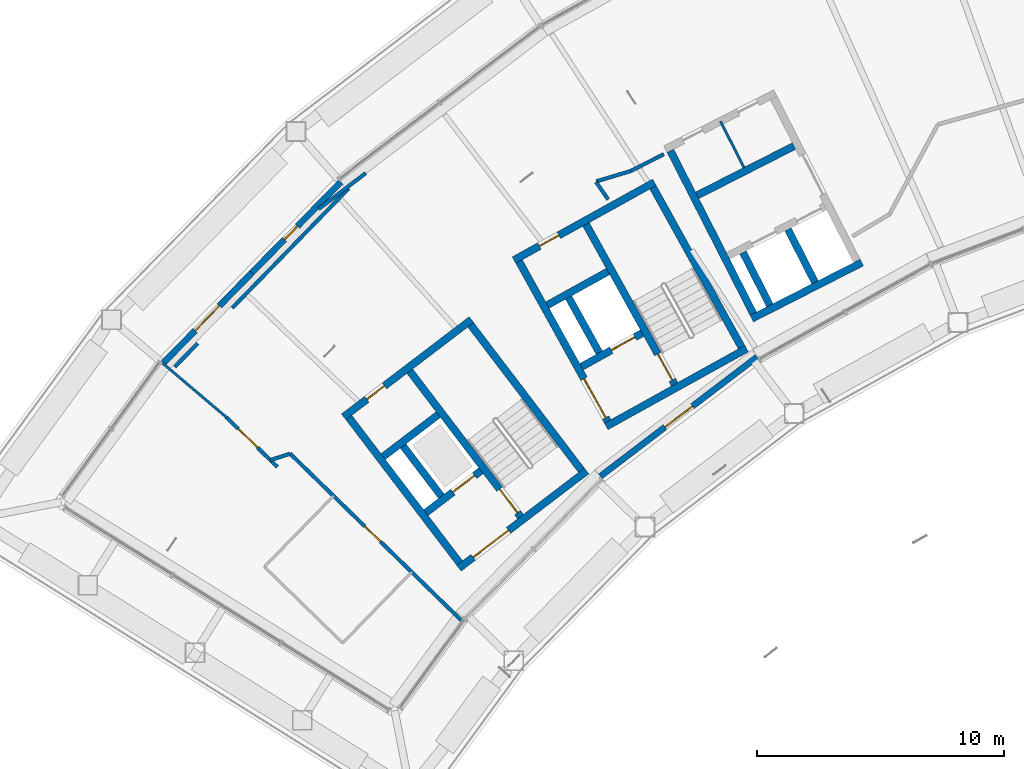
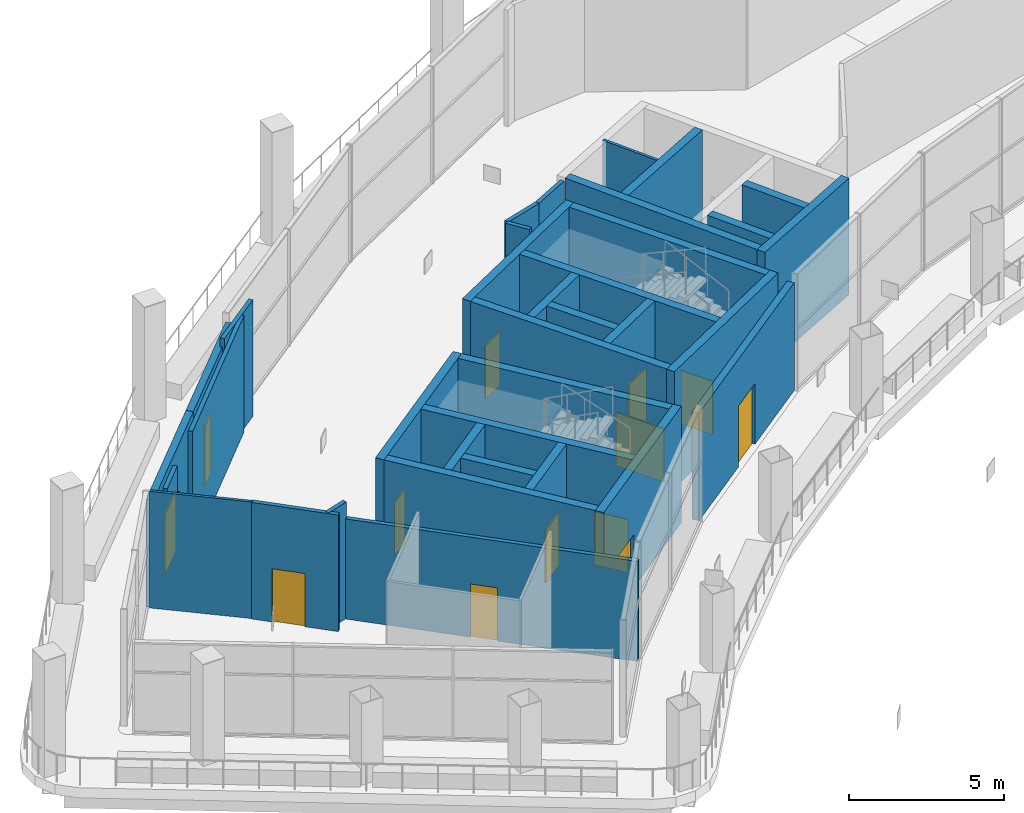
# One storey, part 16 of 29: 35 walls, 12 doors, 1 window, 13 openings.
"""IFC4 building model written with IfcOpenShell, lengths in metres."""

import ifcopenshell
import ifcopenshell.guid

model = None  # the IFC model being written
_history = None  # IfcOwnerHistory: only IFC2X3 demands one
_inside = {}  # id of a spatial element -> (the spatial element, [elements in it])
_under = {}  # id of a project, library or spatial element -> (it, [spatial elements below it])
_declared = {}  # id of a project -> (the project, [libraries it declares])
_typed = {}  # id of a type object -> (the type object, [elements of that type])
_made_of = {}  # id of a material, layer set ... -> (it, [elements and type objects made of it])


def new_model(schema):
    """Start an empty IFC model of exactly this schema.

    Asked for "IFC4X3", IfcOpenShell would pick the latest addendum, in which some entities
    have other attributes; the version numbers below select the first issue.
    IFC2X3 requires an IfcOwnerHistory on every rooted entity: one is made here for all.
    """
    global model, _history
    if schema == "IFC4X3":
        model = ifcopenshell.file(schema_version=(4, 3, 0, 0))
    else:
        model = ifcopenshell.file(schema=schema)
    _inside.clear()
    _under.clear()
    _declared.clear()
    _typed.clear()
    _made_of.clear()
    _history = None
    if model.schema == "IFC2X3":
        org = make("IfcOrganization", Name="unknown")
        user = make(
            "IfcPersonAndOrganization",
            ThePerson=make("IfcPerson", FamilyName="unknown"),
            TheOrganization=org,
        )
        app = make(
            "IfcApplication",
            ApplicationDeveloper=org,
            Version="unknown",
            ApplicationFullName="unknown",
            ApplicationIdentifier="unknown",
        )
        _history = make(
            "IfcOwnerHistory",
            OwningUser=user,
            OwningApplication=app,
            ChangeAction="ADDED",
            CreationDate=0,
        )
    return model


def make(cls, **values):
    """One entity of the class cls with the attributes given. An attribute that is None is left unset."""
    return model.create_entity(
        cls, **{name: value for name, value in values.items() if value is not None}
    )


def rooted(cls, **values):
    """An entity with a GlobalId (a new one), such as an element, a storey or a relation."""
    return make(cls, GlobalId=ifcopenshell.guid.new(), OwnerHistory=_history, **values)


def si_unit(unit_type, name, prefix=None):
    """IfcSIUnit, for example si_unit("LENGTHUNIT", "METRE", prefix="MILLI")."""
    return make("IfcSIUnit", UnitType=unit_type, Prefix=prefix, Name=name)


def assignment(units):
    """IfcUnitAssignment: the units of a project."""
    return None if units is None else make("IfcUnitAssignment", Units=units)


def point(xyz):
    """IfcCartesianPoint."""
    return None if xyz is None else make("IfcCartesianPoint", Coordinates=xyz)


def direction(xyz):
    """IfcDirection."""
    return None if xyz is None else make("IfcDirection", DirectionRatios=xyz)


def frame(location, z_axis=None, x_axis=None):
    """IfcAxis2Placement3D, a coordinate frame: its origin and axes. An axis left out is left unset."""
    return make(
        "IfcAxis2Placement3D",
        Location=point(location),
        Axis=direction(z_axis),
        RefDirection=direction(x_axis),
    )


def frame_2d(location, x_axis=None):
    """IfcAxis2Placement2D, a coordinate frame in the plane: its origin and x axis."""
    return make(
        "IfcAxis2Placement2D", Location=point(location), RefDirection=direction(x_axis)
    )


def origin():
    """The frame at (0, 0, 0) with its axes left unset."""
    return frame((0.0, 0.0, 0.0))


def place(relative_to, where):
    """IfcLocalPlacement: puts the frame where relative to a parent placement (None: the world)."""
    return make(
        "IfcLocalPlacement", PlacementRelTo=relative_to, RelativePlacement=where
    )


def context(
    kind, dimensions, precision=None, world=None, true_north=None, identifier=None
):
    """IfcGeometricRepresentationContext, for example the 3D "Model" context."""
    return make(
        "IfcGeometricRepresentationContext",
        ContextIdentifier=identifier,
        ContextType=kind,
        CoordinateSpaceDimension=dimensions,
        Precision=precision,
        WorldCoordinateSystem=world,
        TrueNorth=true_north,
    )


def subcontext(parent, identifier, kind, view, scale=None):
    """IfcGeometricRepresentationSubContext, for example "Body" below "Model"."""
    return make(
        "IfcGeometricRepresentationSubContext",
        ContextIdentifier=identifier,
        ContextType=kind,
        ParentContext=parent,
        TargetScale=scale,
        TargetView=view,
    )


def project(units=None, contexts=None):
    """IfcProject with its units and contexts."""
    return rooted(
        "IfcProject",
        Name="project",
        RepresentationContexts=contexts,
        UnitsInContext=assignment(units),
    )


def spatial(cls, under=None, at=None, **own):
    """A site, building, storey or space (cls), placed at a placement, below another one or the project."""
    s = rooted(cls, ObjectPlacement=at, **own)
    if under is not None:
        _under.setdefault(under.id(), (under, []))[1].append(s)
    return s


def profile(cls, at=None, kind="AREA", **sizes):
    """A parametric profile (cls). Its sizes go by their IFC names, for example OverallWidth=200.0."""
    return make(cls, ProfileType=kind, Position=at, **sizes)


def rectangle(**sizes):
    """IfcRectangleProfileDef."""
    return profile("IfcRectangleProfileDef", **sizes)


def extrude(swept, where, along, depth):
    """IfcExtrudedAreaSolid: the profile swept, set in the frame where, extruded along a direction by depth."""
    return make(
        "IfcExtrudedAreaSolid",
        SweptArea=swept,
        Position=where,
        ExtrudedDirection=direction(along),
        Depth=depth,
    )


def shape(context_of_items, identifier, shape_type, items):
    """IfcShapeRepresentation: the items that make up one representation, for example the "Body"."""
    return make(
        "IfcShapeRepresentation",
        ContextOfItems=context_of_items,
        RepresentationIdentifier=identifier,
        RepresentationType=shape_type,
        Items=items,
    )


def material(Name=None, Category=None):
    """IfcMaterial."""
    return make("IfcMaterial", Name=Name, Category=Category)


def layer(
    of_material, thickness, ventilated=None, Name=None, Category=None, Priority=None
):
    """IfcMaterialLayer: one layer of a wall or slab, of a material (None: an air gap)."""
    return make(
        "IfcMaterialLayer",
        Material=of_material,
        LayerThickness=thickness,
        IsVentilated=ventilated,
        Name=Name,
        Category=Category,
        Priority=Priority,
    )


def layer_set(layers, Name=None):
    """IfcMaterialLayerSet."""
    return make("IfcMaterialLayerSet", MaterialLayers=layers, LayerSetName=Name)


def made_of(thing, what):
    """Note that an element or type object is made of a material, layer set ...; save() writes the relation."""
    if what is not None:
        _made_of.setdefault(what.id(), (what, []))[1].append(thing)
    return thing


def type_object(cls, material=None, **own):
    """A type object (cls), such as IfcWallType, which elements share."""
    return made_of(rooted(cls, **own), material)


def element(
    cls,
    number,
    at=None,
    inside=None,
    cuts=None,
    type_object=None,
    material=None,
    context=None,
    identifier="Body",
    shape_type=None,
    held_by="IfcProductDefinitionShape",
    body=None,
    shapes=None,
    **own,
):
    """One element of the class cls, such as IfcWall. Its Tag is "e" and its number.

    at: its placement. inside: the storey or other place that contains it. cuts: it is an
    opening in that element (IfcRelVoidsElement). A single representation is given by context,
    identifier, shape_type and body (its items); several are given by shapes. held_by: the class
    of the entity that holds the representations. save() writes the other relations.
    """
    e = rooted(cls, Tag="e%d" % number, ObjectPlacement=at, **own)
    if body is not None:
        shapes = [shape(context, identifier, shape_type, body)]
    if shapes is not None:
        e.Representation = make(held_by, Representations=shapes)
    if inside is not None:
        _inside.setdefault(inside.id(), (inside, []))[1].append(e)
    if cuts is not None:
        rooted(
            "IfcRelVoidsElement", RelatingBuildingElement=cuts, RelatedOpeningElement=e
        )
    if type_object is not None:
        _typed.setdefault(type_object.id(), (type_object, []))[1].append(e)
    return made_of(e, material)


def fill(opening, filler):
    """IfcRelFillsElement: the door or window that sits in an opening."""
    return rooted(
        "IfcRelFillsElement",
        RelatingOpeningElement=opening,
        RelatedBuildingElement=filler,
    )


def aggregate(whole, parts):
    """IfcRelAggregates: a whole, such as a stair, and the parts it consists of."""
    return rooted("IfcRelAggregates", RelatingObject=whole, RelatedObjects=parts)


def save(model, path):
    """Write the relations noted so far, then the file.

    IfcRelAggregates (storeys below a building ...), IfcRelContainedInSpatialStructure (elements
    in a storey), IfcRelDefinesByType, IfcRelAssociatesMaterial and IfcRelDeclares: one each for
    every whole, place, type object, material and project.
    """
    for whole, parts in _under.values():
        aggregate(whole, parts)
    for where, things in _inside.values():
        rooted(
            "IfcRelContainedInSpatialStructure",
            RelatedElements=things,
            RelatingStructure=where,
        )
    for kind, things in _typed.values():
        rooted("IfcRelDefinesByType", RelatedObjects=things, RelatingType=kind)
    for what, things in _made_of.values():
        rooted("IfcRelAssociatesMaterial", RelatedObjects=things, RelatingMaterial=what)
    for by, libraries in _declared.values():
        rooted("IfcRelDeclares", RelatingContext=by, RelatedDefinitions=libraries)
    model.write(path)


model = new_model("IFC4")

# Units and contexts
model_context = context("Model", 3, precision=1e-05, world=origin(), true_north=direction((0.0, 1.0)))
body_context = subcontext(model_context, "Body", "Model", "MODEL_VIEW")
ifc_project = project(units=[si_unit("LENGTHUNIT", "METRE"), si_unit("AREAUNIT", "SQUARE_METRE"), si_unit("VOLUMEUNIT", "CUBIC_METRE"), si_unit("PLANEANGLEUNIT", "RADIAN"), si_unit("MASSUNIT", "GRAM", prefix="KILO")], contexts=[model_context])

# Site, building, storey
site_placement = place(None, origin())
site = spatial("IfcSite", under=ifc_project, at=site_placement, CompositionType="ELEMENT")
building_placement = place(site_placement, origin())
building = spatial("IfcBuilding", under=site, at=building_placement, Name="Tuul Gate Civic Tower", CompositionType="ELEMENT")
storey_placement = place(building_placement, frame((0.0, 0.0, 238.89990234375)))
storey = spatial("IfcBuildingStorey", under=building, at=storey_placement, Name="Sky garden level 2", CompositionType="ELEMENT", Elevation=238.89990234375)

# Wall, opening, door
ifc_material_1 = material(Name="Concrete C50/60", Category="concrete")
ifc_layer_1 = layer(ifc_material_1, 0.300048828125)
ifc_layer_set_1 = layer_set([ifc_layer_1], Name="Concrete C50/60")
wall_type_1 = type_object("IfcWallType", Name="Core wall C50/60", PredefinedType="SHEAR", material=ifc_layer_set_1)
wall_1_placement = place(storey_placement, frame((-31.19091796875, -13.669677734375, 0.0), z_axis=(0.0, 0.0, 1.0), x_axis=(-0.795606717756, -0.605813461934, 0.0)))
wall_1 = element("IfcWall", 1, at=wall_1_placement, inside=storey, type_object=wall_type_1, Name="Core wall", PredefinedType="SHEAR", context=body_context, shape_type="SweptSolid", body=[
    extrude(rectangle(XDim=6.5, YDim=0.300048828125, at=frame_2d((3.25, 0.0))), origin(), (0.0, 0.0, 1.0), 4.60009765625),
])
opening_1_placement = place(wall_1_placement, frame((3.97509765625, 0.0, 0.0)))
opening_1 = element("IfcOpeningElement", 2, at=opening_1_placement, cuts=wall_1, Name="Opening LB-W1-LOBBY-1", PredefinedType="OPENING", context=body_context, shape_type="SweptSolid", body=[
    extrude(rectangle(XDim=1.800048828125, YDim=2.10009765625, at=frame_2d((0.89990234375, 1.050048828125))), frame((0.0, 0.16015625, 0.0), z_axis=(0.0, -1.0, 0.0), x_axis=(1.0, 0.0, 0.0)), (0.0, 0.0, 1.0), 0.320068359375),
])
ifc_material_2 = material(Name="Steel", Category="steel")
door_type_1 = type_object("IfcDoorType", Name="Lobby door", OperationType="DOUBLE_DOOR_SINGLE_SWING", PredefinedType="DOOR", material=ifc_material_2)
door_1_placement = place(opening_1_placement, origin())
door_1 = element("IfcDoor", 3, at=door_1_placement, inside=storey, type_object=door_type_1, Name="Lobby door W1-LOBBY", OperationType="DOUBLE_DOOR_SINGLE_SWING", OverallHeight=2.10009765625, OverallWidth=1.800048828125, PredefinedType="DOOR", context=body_context, shape_type="SweptSolid", body=[
    extrude(rectangle(XDim=1.800048828125, YDim=2.10009765625, at=frame_2d((0.89990234375, 1.050048828125))), frame((0.0, 0.02490234375, 0.0), z_axis=(0.0, -1.0, 0.0), x_axis=(1.0, 0.0, 0.0)), (0.0, 0.0, 1.0), 0.050048828125),
])
fill(opening_1, door_1)

wall_2_placement = place(storey_placement, frame((-35.470947265625, -13.66064453125, 0.0), z_axis=(0.0, 0.0, 1.0), x_axis=(-0.795615822227, -0.605801504968, 0.0)))
wall_2 = element("IfcWall", 4, at=wall_2_placement, inside=storey, type_object=wall_type_1, Name="Core wall", PredefinedType="SHEAR", context=body_context, shape_type="SweptSolid", body=[
    extrude(rectangle(XDim=2.800048828125, YDim=0.300048828125, at=frame_2d((1.39990234375, 0.0))), origin(), (0.0, 0.0, 1.0), 4.60009765625),
])
opening_2_placement = place(wall_2_placement, frame((0.324951171875, 0.0, 0.0)))
opening_2 = element("IfcOpeningElement", 5, at=opening_2_placement, cuts=wall_2, Name="Opening LD-H1", PredefinedType="OPENING", context=body_context, shape_type="SweptSolid", body=[
    extrude(rectangle(XDim=1.10009765625, YDim=2.10009765625, at=frame_2d((0.550048828125, 1.050048828125))), frame((0.0, 0.16015625, 0.0), z_axis=(0.0, -1.0, 0.0), x_axis=(1.0, 0.0, 0.0)), (0.0, 0.0, 1.0), 0.320068359375),
])
ifc_material_3 = material(Name="Stainless steel", Category="steel")
door_type_2 = type_object("IfcDoorType", Name="Landing door", OperationType="DOUBLE_DOOR_SLIDING", PredefinedType="DOOR", material=ifc_material_3)
door_2_placement = place(opening_2_placement, origin())
door_2 = element("IfcDoor", 6, at=door_2_placement, inside=storey, type_object=door_type_2, Name="High-rise lift H1 landing door", OperationType="DOUBLE_DOOR_SLIDING", OverallHeight=2.10009765625, OverallWidth=1.10009765625, PredefinedType="DOOR", context=body_context, shape_type="SweptSolid", body=[
    extrude(rectangle(XDim=1.10009765625, YDim=2.10009765625, at=frame_2d((0.550048828125, 1.050048828125))), frame((0.0, 0.02490234375, 0.0), z_axis=(0.0, -1.0, 0.0), x_axis=(1.0, 0.0, 0.0)), (0.0, 0.0, 1.0), 0.050048828125),
])
fill(opening_2, door_2)

# Wall
wall_3_placement = place(storey_placement, frame((-37.197509765625, -11.39306640625, 0.0), z_axis=(0.0, 0.0, 1.0), x_axis=(-0.795583820278, -0.605843531707, 0.0)))
element("IfcWall", 7, at=wall_3_placement, inside=storey, type_object=wall_type_1, Name="Core wall", PredefinedType="SHEAR", context=body_context, shape_type="SweptSolid", body=[
    extrude(rectangle(XDim=2.7998046875, YDim=0.300048828125, at=frame_2d((1.39990234375, 0.0))), origin(), (0.0, 0.0, 1.0), 4.60009765625),
])

# Wall, opening, door
wall_4_placement = place(storey_placement, frame((-35.855224609375, -7.543212890625, 0.0), z_axis=(0.0, 0.0, 1.0), x_axis=(-0.79563860527, -0.605771582202, 0.0)))
wall_4 = element("IfcWall", 8, at=wall_4_placement, inside=storey, type_object=wall_type_1, Name="Core wall", PredefinedType="SHEAR", context=body_context, shape_type="SweptSolid", body=[
    extrude(rectangle(XDim=6.5, YDim=0.300048828125, at=frame_2d((3.25, 0.0))), origin(), (0.0, 0.0, 1.0), 4.60009765625),
])
opening_3_placement = place(wall_4_placement, frame((4.425048828125, 0.0, 0.0)))
opening_3 = element("IfcOpeningElement", 9, at=opening_3_placement, cuts=wall_4, Name="Opening T-D09", PredefinedType="OPENING", context=body_context, shape_type="SweptSolid", body=[
    extrude(rectangle(XDim=0.89990234375, YDim=2.10009765625, at=frame_2d((0.449951171875, 1.050048828125))), frame((0.0, 0.16015625, 0.0), z_axis=(0.0, -1.0, 0.0), x_axis=(1.0, 0.0, 0.0)), (0.0, 0.0, 1.0), 0.320068359375),
])
ifc_material_4 = material(Name="Timber door leaf", Category="wood")
door_type_3 = type_object("IfcDoorType", Name="Door D09", OperationType="NOTDEFINED", PredefinedType="DOOR", material=ifc_material_4)
door_3_placement = place(opening_3_placement, origin())
door_3 = element("IfcDoor", 10, at=door_3_placement, inside=storey, type_object=door_type_3, Name="Door T-D09", OperationType="SINGLE_SWING_LEFT", OverallHeight=2.10009765625, OverallWidth=0.89990234375, PredefinedType="DOOR", context=body_context, shape_type="SweptSolid", body=[
    extrude(rectangle(XDim=0.89990234375, YDim=2.10009765625, at=frame_2d((0.449951171875, 1.050048828125))), frame((0.0, 0.02490234375, 0.0), z_axis=(0.0, -1.0, 0.0), x_axis=(1.0, 0.0, 0.0)), (0.0, 0.0, 1.0), 0.050048828125),
])
fill(opening_3, door_3)

# Wall
wall_5_placement = place(storey_placement, frame((-31.401123046875, -13.64111328125, 0.0), z_axis=(0.0, 0.0, 1.0), x_axis=(-0.605769822278, 0.795639945213, 0.0)))
element("IfcWall", 11, at=wall_5_placement, inside=storey, type_object=wall_type_1, Name="Core wall", PredefinedType="SHEAR", context=body_context, shape_type="SweptSolid", body=[
    extrude(rectangle(XDim=7.39990234375, YDim=0.300048828125, at=frame_2d((3.699951171875, 0.0))), origin(), (0.0, 0.0, 1.0), 4.60009765625),
])

# Wall, opening, door
wall_6_placement = place(storey_placement, frame((-33.867431640625, -15.51904296875, 0.0), z_axis=(0.0, 0.0, 1.0), x_axis=(-0.605769822278, 0.795639945213, 0.0)))
wall_6 = element("IfcWall", 12, at=wall_6_placement, inside=storey, type_object=wall_type_1, Name="Core wall", PredefinedType="SHEAR", context=body_context, shape_type="SweptSolid", body=[
    extrude(rectangle(XDim=7.39990234375, YDim=0.300048828125, at=frame_2d((3.699951171875, 0.0))), origin(), (0.0, 0.0, 1.0), 4.60009765625),
])
opening_4_placement = place(wall_6_placement, frame((0.199951171875, 0.0, 0.0)))
opening_4 = element("IfcOpeningElement", 13, at=opening_4_placement, cuts=wall_6, Name="Opening SD-ST-1", PredefinedType="OPENING", context=body_context, shape_type="SweptSolid", body=[
    extrude(rectangle(XDim=1.199951171875, YDim=2.10009765625, at=frame_2d((0.60009765625, 1.050048828125))), frame((0.0, 0.16015625, 0.0), z_axis=(0.0, -1.0, 0.0), x_axis=(1.0, 0.0, 0.0)), (0.0, 0.0, 1.0), 0.320068359375),
])
ifc_material_5 = material(Name="Steel", Category="steel")
door_type_4 = type_object("IfcDoorType", Name="Stair door", OperationType="NOTDEFINED", PredefinedType="DOOR", material=ifc_material_5)
door_4_placement = place(opening_4_placement, origin())
door_4 = element("IfcDoor", 14, at=door_4_placement, inside=storey, type_object=door_type_4, Name="Stair door ST-1", OperationType="SINGLE_SWING_LEFT", OverallHeight=2.10009765625, OverallWidth=1.199951171875, PredefinedType="DOOR", context=body_context, shape_type="SweptSolid", body=[
    extrude(rectangle(XDim=1.199951171875, YDim=2.10009765625, at=frame_2d((0.60009765625, 1.050048828125))), frame((0.0, 0.02490234375, 0.0), z_axis=(0.0, -1.0, 0.0), x_axis=(1.0, 0.0, 0.0)), (0.0, 0.0, 1.0), 0.050048828125),
])
fill(opening_4, door_4)

# Walls
wall_7_placement = place(storey_placement, frame((-37.073486328125, -14.6923828125, 0.0), z_axis=(0.0, 0.0, 1.0), x_axis=(-0.605728760074, 0.79567120673, 0.0)))
element("IfcWall", 15, at=wall_7_placement, inside=storey, type_object=wall_type_1, Name="Core wall", PredefinedType="SHEAR", context=body_context, shape_type="SweptSolid", body=[
    extrude(rectangle(XDim=2.550048828125, YDim=0.300048828125, at=frame_2d((1.27490234375, 0.0))), origin(), (0.0, 0.0, 1.0), 4.60009765625),
])
wall_8_placement = place(storey_placement, frame((-36.333984375, -17.397216796875, 0.0), z_axis=(0.0, 0.0, 1.0), x_axis=(-0.605753921168, 0.795652051458, 0.0)))
element("IfcWall", 16, at=wall_8_placement, inside=storey, type_object=wall_type_1, Name="Core wall", PredefinedType="SHEAR", context=body_context, shape_type="SweptSolid", body=[
    extrude(rectangle(XDim=7.400146484375, YDim=0.300048828125, at=frame_2d((3.7001953125, 0.0))), origin(), (0.0, 0.0, 1.0), 4.60009765625),
])
wall_9_placement = place(storey_placement, frame((-24.711669921875, -8.7158203125, 0.0), z_axis=(0.0, 0.0, 1.0), x_axis=(-0.874629909008, -0.484791215132, 0.0)))
element("IfcWall", 17, at=wall_9_placement, inside=storey, type_object=wall_type_1, Name="Core wall", PredefinedType="SHEAR", context=body_context, shape_type="SweptSolid", body=[
    extrude(rectangle(XDim=6.5, YDim=0.300048828125, at=frame_2d((3.25, 0.0))), origin(), (0.0, 0.0, 1.0), 4.60009765625),
])

# Wall, opening, door
wall_10_placement = place(storey_placement, frame((-28.94580078125, -8.090087890625, 0.0), z_axis=(0.0, 0.0, 1.0), x_axis=(-0.874629840737, -0.484791338301, 0.0)))
wall_10 = element("IfcWall", 18, at=wall_10_placement, inside=storey, type_object=wall_type_1, Name="Core wall", PredefinedType="SHEAR", context=body_context, shape_type="SweptSolid", body=[
    extrude(rectangle(XDim=2.800048828125, YDim=0.300048828125, at=frame_2d((1.39990234375, 0.0))), origin(), (0.0, 0.0, 1.0), 4.60009765625),
])
opening_5_placement = place(wall_10_placement, frame((0.324951171875, 0.0, 0.0)))
opening_5 = element("IfcOpeningElement", 19, at=opening_5_placement, cuts=wall_10, Name="Opening LD-FF-1", PredefinedType="OPENING", context=body_context, shape_type="SweptSolid", body=[
    extrude(rectangle(XDim=1.10009765625, YDim=2.10009765625, at=frame_2d((0.550048828125, 1.050048828125))), frame((0.0, 0.16015625, 0.0), z_axis=(0.0, -1.0, 0.0), x_axis=(1.0, 0.0, 0.0)), (0.0, 0.0, 1.0), 0.320068359375),
])
door_5_placement = place(opening_5_placement, origin())
door_5 = element("IfcDoor", 20, at=door_5_placement, inside=storey, type_object=door_type_2, Name="Fire-fighting lift FF-1 landing door", OperationType="DOUBLE_DOOR_SLIDING", OverallHeight=2.10009765625, OverallWidth=1.10009765625, PredefinedType="DOOR", context=body_context, shape_type="SweptSolid", body=[
    extrude(rectangle(XDim=1.10009765625, YDim=2.10009765625, at=frame_2d((0.550048828125, 1.050048828125))), frame((0.0, 0.02490234375, 0.0), z_axis=(0.0, -1.0, 0.0), x_axis=(1.0, 0.0, 0.0)), (0.0, 0.0, 1.0), 0.050048828125),
])
fill(opening_5, door_5)

# Wall
wall_11_placement = place(storey_placement, frame((-30.327392578125, -5.59716796875, 0.0), z_axis=(0.0, 0.0, 1.0), x_axis=(-0.874629840737, -0.484791338301, 0.0)))
element("IfcWall", 21, at=wall_11_placement, inside=storey, type_object=wall_type_1, Name="Core wall", PredefinedType="SHEAR", context=body_context, shape_type="SweptSolid", body=[
    extrude(rectangle(XDim=2.800048828125, YDim=0.300048828125, at=frame_2d((1.39990234375, 0.0))), origin(), (0.0, 0.0, 1.0), 4.60009765625),
])

# Wall, opening, door
wall_12_placement = place(storey_placement, frame((-28.4443359375, -1.98095703125, 0.0), z_axis=(0.0, 0.0, 1.0), x_axis=(-0.874629909008, -0.484791215132, 0.0)))
wall_12 = element("IfcWall", 22, at=wall_12_placement, inside=storey, type_object=wall_type_1, Name="Core wall", PredefinedType="SHEAR", context=body_context, shape_type="SweptSolid", body=[
    extrude(rectangle(XDim=6.5, YDim=0.300048828125, at=frame_2d((3.25, 0.0))), origin(), (0.0, 0.0, 1.0), 4.60009765625),
])
opening_6_placement = place(wall_12_placement, frame((4.425048828125, 0.0, 0.0)))
opening_6 = element("IfcOpeningElement", 23, at=opening_6_placement, cuts=wall_12, Name="Opening T-D10", PredefinedType="OPENING", context=body_context, shape_type="SweptSolid", body=[
    extrude(rectangle(XDim=0.89990234375, YDim=2.10009765625, at=frame_2d((0.449951171875, 1.050048828125))), frame((0.0, 0.16015625, 0.0), z_axis=(0.0, -1.0, 0.0), x_axis=(1.0, 0.0, 0.0)), (0.0, 0.0, 1.0), 0.320068359375),
])
door_6_placement = place(opening_6_placement, origin())
door_6 = element("IfcDoor", 24, at=door_6_placement, inside=storey, type_object=door_type_3, Name="Door T-D10", OperationType="SINGLE_SWING_LEFT", OverallHeight=2.10009765625, OverallWidth=0.89990234375, PredefinedType="DOOR", context=body_context, shape_type="SweptSolid", body=[
    extrude(rectangle(XDim=0.89990234375, YDim=2.10009765625, at=frame_2d((0.449951171875, 1.050048828125))), frame((0.0, 0.02490234375, 0.0), z_axis=(0.0, -1.0, 0.0), x_axis=(1.0, 0.0, 0.0)), (0.0, 0.0, 1.0), 0.050048828125),
])
fill(opening_6, door_6)

# Wall
wall_13_placement = place(storey_placement, frame((-24.91552734375, -8.6572265625, 0.0), z_axis=(0.0, 0.0, 1.0), x_axis=(-0.484777133038, 0.874637714304, 0.0)))
element("IfcWall", 25, at=wall_13_placement, inside=storey, type_object=wall_type_1, Name="Core wall", PredefinedType="SHEAR", context=body_context, shape_type="SweptSolid", body=[
    extrude(rectangle(XDim=7.400146484375, YDim=0.300048828125, at=frame_2d((3.7001953125, 0.0))), origin(), (0.0, 0.0, 1.0), 4.60009765625),
])

# Wall, opening, door
wall_14_placement = place(storey_placement, frame((-27.626953125, -10.16015625, 0.0), z_axis=(0.0, 0.0, 1.0), x_axis=(-0.484751894226, 0.874651702704, 0.0)))
wall_14 = element("IfcWall", 26, at=wall_14_placement, inside=storey, type_object=wall_type_1, Name="Core wall", PredefinedType="SHEAR", context=body_context, shape_type="SweptSolid", body=[
    extrude(rectangle(XDim=7.39990234375, YDim=0.300048828125, at=frame_2d((3.699951171875, 0.0))), origin(), (0.0, 0.0, 1.0), 4.60009765625),
])
opening_7_placement = place(wall_14_placement, frame((0.199951171875, 0.0, 0.0)))
opening_7 = element("IfcOpeningElement", 27, at=opening_7_placement, cuts=wall_14, Name="Opening SD-ST-2", PredefinedType="OPENING", context=body_context, shape_type="SweptSolid", body=[
    extrude(rectangle(XDim=1.199951171875, YDim=2.10009765625, at=frame_2d((0.60009765625, 1.050048828125))), frame((0.0, 0.16015625, 0.0), z_axis=(0.0, -1.0, 0.0), x_axis=(1.0, 0.0, 0.0)), (0.0, 0.0, 1.0), 0.320068359375),
])
door_7_placement = place(opening_7_placement, origin())
door_7 = element("IfcDoor", 28, at=door_7_placement, inside=storey, type_object=door_type_4, Name="Stair door ST-2", OperationType="SINGLE_SWING_LEFT", OverallHeight=2.10009765625, OverallWidth=1.199951171875, PredefinedType="DOOR", context=body_context, shape_type="SweptSolid", body=[
    extrude(rectangle(XDim=1.199951171875, YDim=2.10009765625, at=frame_2d((0.60009765625, 1.050048828125))), frame((0.0, 0.02490234375, 0.0), z_axis=(0.0, -1.0, 0.0), x_axis=(1.0, 0.0, 0.0)), (0.0, 0.0, 1.0), 0.050048828125),
])
fill(opening_7, door_7)

# Wall
wall_15_placement = place(storey_placement, frame((-30.680419921875, -8.8798828125, 0.0), z_axis=(0.0, 0.0, 1.0), x_axis=(-0.484724115216, 0.874667097888, 0.0)))
element("IfcWall", 29, at=wall_15_placement, inside=storey, type_object=wall_type_1, Name="Core wall", PredefinedType="SHEAR", context=body_context, shape_type="SweptSolid", body=[
    extrude(rectangle(XDim=2.550048828125, YDim=0.300048828125, at=frame_2d((1.27490234375, 0.0))), origin(), (0.0, 0.0, 1.0), 4.60009765625),
])

# Wall, opening, door
wall_16_placement = place(storey_placement, frame((-30.33837890625, -11.6630859375, 0.0), z_axis=(0.0, 0.0, 1.0), x_axis=(-0.484751894226, 0.874651702704, 0.0)))
wall_16 = element("IfcWall", 30, at=wall_16_placement, inside=storey, type_object=wall_type_1, Name="Core wall", PredefinedType="SHEAR", context=body_context, shape_type="SweptSolid", body=[
    extrude(rectangle(XDim=7.39990234375, YDim=0.300048828125, at=frame_2d((3.699951171875, 0.0))), origin(), (0.0, 0.0, 1.0), 4.60009765625),
])
opening_8_placement = place(wall_16_placement, frame((0.175048828125, 0.0, 0.0)))
opening_8 = element("IfcOpeningElement", 31, at=opening_8_placement, cuts=wall_16, Name="Opening LB-W2-FLOBBY-1", PredefinedType="OPENING", context=body_context, shape_type="SweptSolid", body=[
    extrude(rectangle(XDim=1.800048828125, YDim=2.10009765625, at=frame_2d((0.89990234375, 1.050048828125))), frame((0.0, 0.16015625, 0.0), z_axis=(0.0, -1.0, 0.0), x_axis=(1.0, 0.0, 0.0)), (0.0, 0.0, 1.0), 0.320068359375),
])
door_8_placement = place(opening_8_placement, origin())
door_8 = element("IfcDoor", 32, at=door_8_placement, inside=storey, type_object=door_type_1, Name="Lobby door W2-FLOBBY", OperationType="DOUBLE_DOOR_SINGLE_SWING", OverallHeight=2.10009765625, OverallWidth=1.800048828125, PredefinedType="DOOR", context=body_context, shape_type="SweptSolid", body=[
    extrude(rectangle(XDim=1.800048828125, YDim=2.10009765625, at=frame_2d((0.89990234375, 1.050048828125))), frame((0.0, 0.02490234375, 0.0), z_axis=(0.0, -1.0, 0.0), x_axis=(1.0, 0.0, 0.0)), (0.0, 0.0, 1.0), 0.050048828125),
])
fill(opening_8, door_8)

# Walls
ifc_material_6 = material(Name="Gypsum board partition")
ifc_layer_2 = layer(ifc_material_6, 0.14990234375)
ifc_layer_set_2 = layer_set([ifc_layer_2], Name="Gypsum board partition")
wall_type_2 = type_object("IfcWallType", Name="Corridor wall P150", PredefinedType="PARTITIONING", material=ifc_layer_set_2)
wall_17_placement = place(storey_placement, frame((-42.040283203125, -3.06005859375, 0.0), z_axis=(0.0, 0.0, 1.0), x_axis=(0.795658773794, 0.605745091342, 0.0)))
element("IfcWall", 33, at=wall_17_placement, inside=storey, type_object=wall_type_2, Name="p006", PredefinedType="PARTITIONING", context=body_context, shape_type="SweptSolid", body=[
    extrude(rectangle(XDim=2.3935546875, YDim=0.14990234375, at=frame_2d((1.19677734375, 0.0))), origin(), (0.0, 0.0, 1.0), 4.60009765625),
])
wall_18_placement = place(storey_placement, frame((-47.868896484375, -9.459228515625, 0.0), z_axis=(0.0, 0.0, 1.0), x_axis=(0.697881605332, 0.716213142115, 0.0)))
element("IfcWall", 34, at=wall_18_placement, inside=storey, type_object=wall_type_2, Name="p025", PredefinedType="PARTITIONING", context=body_context, shape_type="SweptSolid", body=[
    extrude(rectangle(XDim=1.331787109375, YDim=0.14990234375, at=frame_2d((0.666015625, 0.0))), origin(), (0.0, 0.0, 1.0), 4.60009765625),
])

# Wall, opening, door
wall_19_placement = place(storey_placement, frame((-45.789794921875, -11.48583984375, 0.0), z_axis=(0.0, 0.0, 1.0), x_axis=(0.716276037129, -0.697817052411, 0.0)))
wall_19 = element("IfcWall", 35, at=wall_19_placement, inside=storey, type_object=wall_type_2, Name="p026", PredefinedType="PARTITIONING", context=body_context, shape_type="SweptSolid", body=[
    extrude(rectangle(XDim=2.896484375, YDim=0.14990234375, at=frame_2d((1.4482421875, 0.0))), origin(), (0.0, 0.0, 1.0), 4.60009765625),
])
opening_9_placement = place(wall_19_placement, frame((0.679931640625, 0.0, 0.0)))
opening_9 = element("IfcOpeningElement", 36, at=opening_9_placement, cuts=wall_19, Name="Opening T-D07", PredefinedType="OPENING", context=body_context, shape_type="SweptSolid", body=[
    extrude(rectangle(XDim=1.10009765625, YDim=2.10009765625, at=frame_2d((0.550048828125, 1.050048828125))), frame((0.0, 0.0849609375, 0.0), z_axis=(0.0, -1.0, 0.0), x_axis=(1.0, 0.0, 0.0)), (0.0, 0.0, 1.0), 0.169921875),
])
ifc_material_7 = material(Name="Timber door leaf", Category="wood")
door_type_5 = type_object("IfcDoorType", Name="Door D11", OperationType="NOTDEFINED", PredefinedType="DOOR", material=ifc_material_7)
door_9_placement = place(opening_9_placement, frame((1.10009765625, 0.0, 0.0), z_axis=(0.0, 0.0, 1.0), x_axis=(-1.0, 0.0, 0.0)))
door_9 = element("IfcDoor", 37, at=door_9_placement, inside=storey, type_object=door_type_5, Name="Door T-D07", OperationType="SINGLE_SWING_LEFT", OverallHeight=2.10009765625, OverallWidth=1.10009765625, PredefinedType="DOOR", context=body_context, shape_type="SweptSolid", body=[
    extrude(rectangle(XDim=1.10009765625, YDim=2.10009765625, at=frame_2d((0.550048828125, 1.050048828125))), frame((0.0, 0.02490234375, 0.0), z_axis=(0.0, -1.0, 0.0), x_axis=(1.0, 0.0, 0.0)), (0.0, 0.0, 1.0), 0.050048828125),
])
fill(opening_9, door_9)

# Walls
wall_20_placement = place(storey_placement, frame((-30.80517578125, -1.973388671875, 0.0), z_axis=(0.0, 0.0, 1.0), x_axis=(0.569625424486, -0.8219044201, 0.0)))
element("IfcWall", 38, at=wall_20_placement, inside=storey, type_object=wall_type_2, Name="p041", PredefinedType="PARTITIONING", context=body_context, shape_type="SweptSolid", body=[
    extrude(rectangle(XDim=0.85546875, YDim=0.14990234375, at=frame_2d((0.427734375, 0.0))), origin(), (0.0, 0.0, 1.0), 4.60009765625),
])
wall_21_placement = place(storey_placement, frame((-30.799560546875, -1.9453125, 0.0), z_axis=(0.0, 0.0, 1.0), x_axis=(0.957512641588, 0.288391298759, 0.0)))
element("IfcWall", 39, at=wall_21_placement, inside=storey, type_object=wall_type_2, Name="p042", PredefinedType="PARTITIONING", context=body_context, shape_type="SweptSolid", body=[
    extrude(rectangle(XDim=1.45947265625, YDim=0.14990234375, at=frame_2d((0.729736328125, 0.0))), origin(), (0.0, 0.0, 1.0), 4.60009765625),
])
wall_22_placement = place(storey_placement, frame((-29.402099609375, -1.5244140625, 0.0), z_axis=(0.0, 0.0, 1.0), x_axis=(0.890884194458, 0.454230505432, 0.0)))
element("IfcWall", 40, at=wall_22_placement, inside=storey, type_object=wall_type_2, Name="p044", PredefinedType="PARTITIONING", context=body_context, shape_type="SweptSolid", body=[
    extrude(rectangle(XDim=1.5, YDim=0.14990234375, at=frame_2d((0.75, 0.0))), origin(), (0.0, 0.0, 1.0), 4.60009765625),
])
wall_23_placement = place(storey_placement, frame((-43.99951171875, -13.22998046875, 0.0), z_axis=(0.0, 0.0, 1.0), x_axis=(0.952424147199, 0.304775727104, 0.0)))
element("IfcWall", 41, at=wall_23_placement, inside=storey, type_object=wall_type_2, Name="p052", PredefinedType="PARTITIONING", context=body_context, shape_type="SweptSolid", body=[
    extrude(rectangle(XDim=0.845947265625, YDim=0.14990234375, at=frame_2d((0.4228515625, 0.0))), origin(), (0.0, 0.0, 1.0), 4.60009765625),
])
wall_24_placement = place(storey_placement, frame((-45.54345703125, -7.072509765625, 0.0), z_axis=(0.0, 0.0, 1.0), x_axis=(0.697826277073, 0.716267050077, 0.0)))
element("IfcWall", 42, at=wall_24_placement, inside=storey, type_object=wall_type_2, Name="p025", PredefinedType="PARTITIONING", context=body_context, shape_type="SweptSolid", body=[
    extrude(rectangle(XDim=6.76513671875, YDim=0.14990234375, at=frame_2d((3.382568359375, 0.0))), origin(), (0.0, 0.0, 1.0), 4.60009765625),
])

# Wall, opening, door
ifc_material_8 = material(Name="Gypsum board partition")
ifc_layer_3 = layer(ifc_material_8, 0.14990234375)
ifc_layer_set_3 = layer_set([ifc_layer_3], Name="Gypsum board partition")
wall_type_3 = type_object("IfcWallType", Name="Corridor wall P150 3950 HIGH", PredefinedType="PARTITIONING", material=ifc_layer_set_3)
wall_25_placement = place(storey_placement, frame((-43.19384765625, -12.97216796875, 0.0), z_axis=(0.0, 0.0, 1.0), x_axis=(0.716293795416, -0.697798823909, 0.0)))
wall_25 = element("IfcWall", 43, at=wall_25_placement, inside=storey, type_object=wall_type_3, Name="p031", PredefinedType="PARTITIONING", context=body_context, shape_type="SweptSolid", body=[
    extrude(rectangle(XDim=9.794677734375, YDim=0.14990234375, at=frame_2d((4.8974609375, 0.0))), origin(), (0.0, 0.0, 1.0), 3.9501953125),
])
opening_10_placement = place(wall_25_placement, frame((4.208740234375, 0.0, 0.0)))
opening_10 = element("IfcOpeningElement", 44, at=opening_10_placement, cuts=wall_25, Name="Opening T-D03", PredefinedType="OPENING", context=body_context, shape_type="SweptSolid", body=[
    extrude(rectangle(XDim=0.89990234375, YDim=2.10009765625, at=frame_2d((0.449951171875, 1.050048828125))), frame((0.0, 0.0849609375, 0.0), z_axis=(0.0, -1.0, 0.0), x_axis=(1.0, 0.0, 0.0)), (0.0, 0.0, 1.0), 0.169921875),
])
door_10_placement = place(opening_10_placement, frame((0.89990234375, 0.0, 0.0), z_axis=(0.0, 0.0, 1.0), x_axis=(-1.0, 0.0, 0.0)))
door_10 = element("IfcDoor", 45, at=door_10_placement, inside=storey, type_object=door_type_3, Name="Door T-D03", OperationType="SINGLE_SWING_LEFT", OverallHeight=2.10009765625, OverallWidth=0.89990234375, PredefinedType="DOOR", context=body_context, shape_type="SweptSolid", body=[
    extrude(rectangle(XDim=0.89990234375, YDim=2.10009765625, at=frame_2d((0.449951171875, 1.050048828125))), frame((0.0, 0.02490234375, 0.0), z_axis=(0.0, -1.0, 0.0), x_axis=(1.0, 0.0, 0.0)), (0.0, 0.0, 1.0), 0.050048828125),
])
fill(opening_10, door_10)

# Wall, opening, window
ifc_material_9 = material(Name="Precast concrete C40/50", Category="concrete")
ifc_layer_4 = layer(ifc_material_9, 0.25)
ifc_layer_set_4 = layer_set([ifc_layer_4], Name="Precast concrete C40/50")
wall_type_4 = type_object("IfcWallType", Name="External wall", PredefinedType="STANDARD", material=ifc_layer_set_4)
wall_26_placement = place(storey_placement, frame((-41.143798828125, -1.967529296875, 0.0), z_axis=(0.0, 0.0, 1.0), x_axis=(-0.70003254788, -0.714110938096, 0.0)))
wall_26 = element("IfcWall", 46, at=wall_26_placement, inside=storey, type_object=wall_type_4, Name="External wall", PredefinedType="STANDARD", context=body_context, shape_type="SweptSolid", body=[
    extrude(rectangle(XDim=5.150390625, YDim=0.25, at=frame_2d((2.5751953125, 0.0))), origin(), (0.0, 0.0, 1.0), 4.25),
])
opening_11_placement = place(wall_26_placement, frame((2.51171875, 0.0, 0.0)))
opening_11 = element("IfcOpeningElement", 47, at=opening_11_placement, cuts=wall_26, Name="Opening W44", PredefinedType="OPENING", context=body_context, shape_type="SweptSolid", body=[
    extrude(rectangle(XDim=0.75, YDim=2.39990234375, at=frame_2d((0.375, 1.199951171875))), frame((0.0, 0.135009765625, 0.0), z_axis=(0.0, -1.0, 0.0), x_axis=(1.0, 0.0, 0.0)), (0.0, 0.0, 1.0), 0.27001953125),
])
ifc_material_10 = material(Name="Glazed aluminium", Category="aluminium")
window_type = type_object("IfcWindowType", Name="Window 750 x 2400", PartitioningType="SINGLE_PANEL", PredefinedType="WINDOW", material=ifc_material_10)
window_placement = place(opening_11_placement, origin())
window = element("IfcWindow", 48, at=window_placement, inside=storey, type_object=window_type, Name="Window", OverallHeight=2.39990234375, OverallWidth=0.75, PartitioningType="SINGLE_PANEL", PredefinedType="WINDOW", context=body_context, shape_type="SweptSolid", body=[
    extrude(rectangle(XDim=0.75, YDim=2.39990234375, at=frame_2d((0.375, 1.199951171875))), frame((0.0, 0.030029296875, 0.0), z_axis=(0.0, -1.0, 0.0), x_axis=(1.0, 0.0, 0.0)), (0.0, 0.0, 1.0), 0.06005859375),
])
fill(opening_11, window)

# Wall, opening, door
wall_27_placement = place(storey_placement, frame((-44.749267578125, -5.6455078125, 0.0), z_axis=(0.0, 0.0, 1.0), x_axis=(-0.70003254788, -0.714110938096, 0.0)))
wall_27 = element("IfcWall", 49, at=wall_27_placement, inside=storey, type_object=wall_type_4, Name="External wall", PredefinedType="STANDARD", context=body_context, shape_type="SweptSolid", body=[
    extrude(rectangle(XDim=5.150390625, YDim=0.25, at=frame_2d((2.5751953125, 0.0))), origin(), (0.0, 0.0, 1.0), 4.25),
])
opening_12_placement = place(wall_27_placement, frame((1.875244140625, 0.0, 0.0)))
opening_12 = element("IfcOpeningElement", 50, at=opening_12_placement, cuts=wall_27, Name="Opening TD", PredefinedType="OPENING", context=body_context, shape_type="SweptSolid", body=[
    extrude(rectangle(XDim=1.39990234375, YDim=2.39990234375, at=frame_2d((0.699951171875, 1.199951171875))), frame((0.0, 0.135009765625, 0.0), z_axis=(0.0, -1.0, 0.0), x_axis=(1.0, 0.0, 0.0)), (0.0, 0.0, 1.0), 0.27001953125),
])
ifc_material_11 = material(Name="Glazed aluminium", Category="aluminium")
door_type_6 = type_object("IfcDoorType", Name="Terrace door", OperationType="DOUBLE_DOOR_SINGLE_SWING", PredefinedType="DOOR", material=ifc_material_11)
door_11_placement = place(opening_12_placement, frame((1.39990234375, 0.0, 0.0), z_axis=(0.0, 0.0, 1.0), x_axis=(-1.0, 0.0, 0.0)))
door_11 = element("IfcDoor", 51, at=door_11_placement, inside=storey, type_object=door_type_6, Name="Terrace door", OperationType="DOUBLE_DOOR_SINGLE_SWING", OverallHeight=2.39990234375, OverallWidth=1.39990234375, PredefinedType="DOOR", context=body_context, shape_type="SweptSolid", body=[
    extrude(rectangle(XDim=1.39990234375, YDim=2.39990234375, at=frame_2d((0.699951171875, 1.199951171875))), frame((0.0, 0.02490234375, 0.0), z_axis=(0.0, -1.0, 0.0), x_axis=(1.0, 0.0, 0.0)), (0.0, 0.0, 1.0), 0.050048828125),
])
fill(opening_12, door_11)

wall_28_placement = place(storey_placement, frame((-30.627685546875, -13.883544921875, 0.0), z_axis=(0.0, 0.0, 1.0), x_axis=(0.795640564907, 0.605769008348, 0.0)))
wall_28 = element("IfcWall", 52, at=wall_28_placement, inside=storey, type_object=wall_type_4, Name="External wall", PredefinedType="STANDARD", context=body_context, shape_type="SweptSolid", body=[
    extrude(rectangle(XDim=7.96826171875, YDim=0.25, at=frame_2d((3.984130859375, 0.0))), origin(), (0.0, 0.0, 1.0), 4.25),
])
opening_13_placement = place(wall_28_placement, frame((3.2841796875, 0.0, 0.0)))
opening_13 = element("IfcOpeningElement", 53, at=opening_13_placement, cuts=wall_28, Name="Opening TD", PredefinedType="OPENING", context=body_context, shape_type="SweptSolid", body=[
    extrude(rectangle(XDim=1.39990234375, YDim=2.39990234375, at=frame_2d((0.699951171875, 1.199951171875))), frame((0.0, 0.135009765625, 0.0), z_axis=(0.0, -1.0, 0.0), x_axis=(1.0, 0.0, 0.0)), (0.0, 0.0, 1.0), 0.27001953125),
])
door_12_placement = place(opening_13_placement, frame((1.39990234375, 0.0, 0.0), z_axis=(0.0, 0.0, 1.0), x_axis=(-1.0, 0.0, 0.0)))
door_12 = element("IfcDoor", 54, at=door_12_placement, inside=storey, type_object=door_type_6, Name="Terrace door", OperationType="DOUBLE_DOOR_SINGLE_SWING", OverallHeight=2.39990234375, OverallWidth=1.39990234375, PredefinedType="DOOR", context=body_context, shape_type="SweptSolid", body=[
    extrude(rectangle(XDim=1.39990234375, YDim=2.39990234375, at=frame_2d((0.699951171875, 1.199951171875))), frame((0.0, 0.02490234375, 0.0), z_axis=(0.0, -1.0, 0.0), x_axis=(1.0, 0.0, 0.0)), (0.0, 0.0, 1.0), 0.050048828125),
])
fill(opening_13, door_12)

# Walls
ifc_material_12 = material(Name="Concrete C40/50", Category="concrete")
ifc_layer_5 = layer(ifc_material_12, 0.300048828125)
ifc_layer_set_5 = layer_set([ifc_layer_5], Name="Concrete C40/50")
wall_type_5 = type_object("IfcWallType", Name="Lift shaft wall C40/50", PredefinedType="STANDARD", material=ifc_layer_set_5)
wall_29_placement = place(storey_placement, frame((-20.049072265625, -5.232421875, 0.0), z_axis=(0.0, 0.0, 1.0), x_axis=(-0.891002976909, -0.453997461601, 0.0)))
element("IfcWall", 55, at=wall_29_placement, inside=storey, type_object=wall_type_5, Name="Shaft wall", PredefinedType="STANDARD", context=body_context, shape_type="SweptSolid", body=[
    extrude(rectangle(XDim=5.0, YDim=0.300048828125, at=frame_2d((2.5, 0.0))), origin(), (0.0, 0.0, 1.0), 4.60009765625),
])
wall_30_placement = place(storey_placement, frame((-22.790771484375, -0.5126953125, 0.0), z_axis=(0.0, 0.0, 1.0), x_axis=(-0.891005618941, -0.453992276384, 0.0)))
element("IfcWall", 56, at=wall_30_placement, inside=storey, type_object=wall_type_5, Name="Shaft wall", PredefinedType="STANDARD", context=body_context, shape_type="SweptSolid", body=[
    extrude(rectangle(XDim=4.39990234375, YDim=0.300048828125, at=frame_2d((2.199951171875, 0.0))), origin(), (0.0, 0.0, 1.0), 4.60009765625),
])
for number, where, z_axis, x_axis, name in (
    (57, (-21.94384765625, -6.029296875, 0.0), (0.0, 0.0, 1.0), (-0.45403702923, 0.890982814698, 0.0), "Shaft wall"),
    (58, (-23.770263671875, -6.960205078125, 0.0), (0.0, 0.0, 1.0), (-0.45399587725, 0.891003784189, 0.0), "Shaft wall"),
):
    element("IfcWall", number, at=place(storey_placement, frame(where, z_axis=z_axis, x_axis=x_axis)), inside=storey, type_object=wall_type_5, Name=name, PredefinedType="STANDARD", context=body_context, shape_type="SweptSolid", body=[
        extrude(rectangle(XDim=2.39990234375, YDim=0.300048828125, at=frame_2d((1.199951171875, 0.0))), origin(), (0.0, 0.0, 1.0), 4.60009765625),
    ])
wall_31_placement = place(storey_placement, frame((-24.438720703125, -7.300537109375, 0.0), z_axis=(0.0, 0.0, 1.0), x_axis=(-0.453984101083, 0.891009784438, 0.0)))
element("IfcWall", 59, at=wall_31_placement, inside=storey, type_object=wall_type_5, Name="Shaft wall", PredefinedType="STANDARD", context=body_context, shape_type="SweptSolid", body=[
    extrude(rectangle(XDim=7.399658203125, YDim=0.300048828125, at=frame_2d((3.69970703125, 0.0))), origin(), (0.0, 0.0, 1.0), 4.60009765625),
])
ifc_material_13 = material(Name="Gypsum board partition")
ifc_layer_6 = layer(ifc_material_13, 0.10009765625)
ifc_layer_set_6 = layer_set([ifc_layer_6], Name="Gypsum board partition")
wall_type_6 = type_object("IfcWallType", Name="Partition P100", PredefinedType="PARTITIONING", material=ifc_layer_set_6)
wall_32_placement = place(storey_placement, frame((-48.35205078125, -9.313720703125, 0.0), z_axis=(0.0, 0.0, 1.0), x_axis=(0.762845115588, -0.646581262969, 0.0)))
element("IfcWall", 60, at=wall_32_placement, inside=storey, type_object=wall_type_6, Name="p030", PredefinedType="PARTITIONING", context=body_context, shape_type="SweptSolid", body=[
    extrude(rectangle(XDim=3.355712890625, YDim=0.10009765625, at=frame_2d((1.677734375, 0.0))), origin(), (0.0, 0.0, 1.0), 4.60009765625),
])
wall_33_placement = place(storey_placement, frame((-24.819091796875, -1.377685546875, 0.0), z_axis=(0.0, 0.0, 1.0), x_axis=(-0.453990218702, 0.891006667384, 0.0)))
element("IfcWall", 61, at=wall_33_placement, inside=storey, type_object=wall_type_6, Name="bW3-BAND-0", PredefinedType="PARTITIONING", context=body_context, shape_type="SweptSolid", body=[
    extrude(rectangle(XDim=2.10009765625, YDim=0.10009765625, at=frame_2d((1.050048828125, 0.0))), origin(), (0.0, 0.0, 1.0), 4.60009765625),
])

save(model, "model.ifc")
